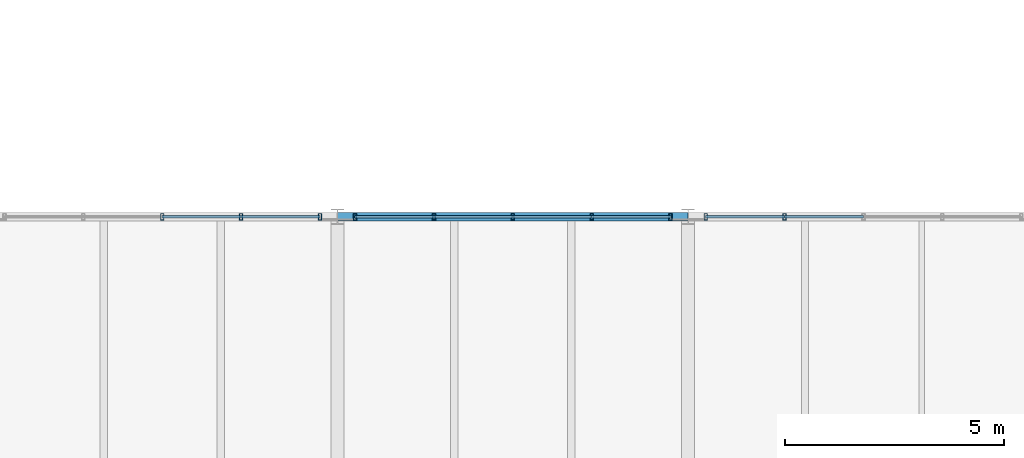
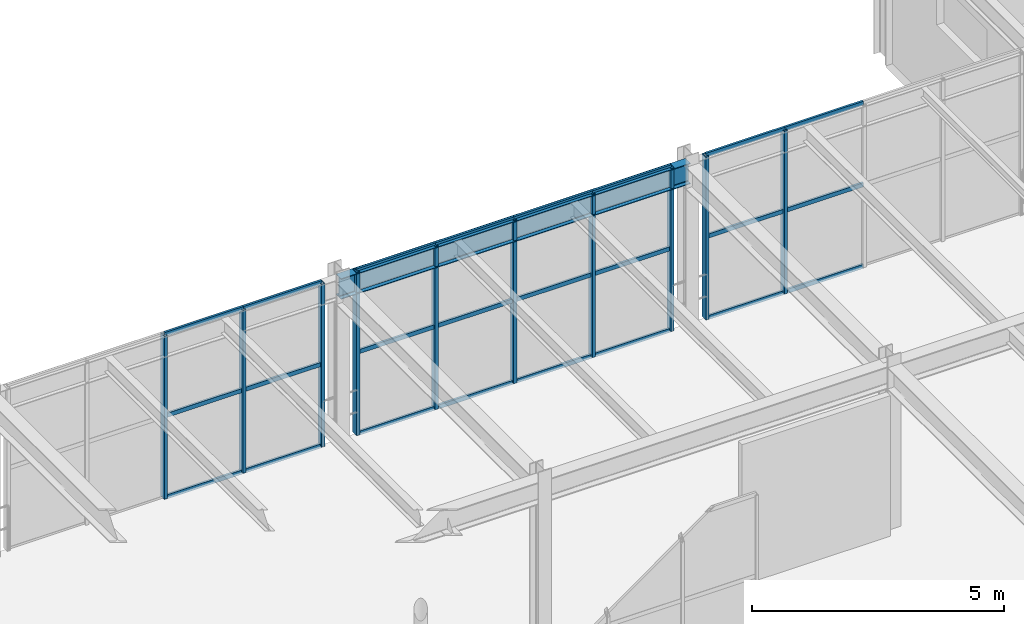
# One storey, part 38 of 122: 34 members, 1 beam, 3 elements without a shape of their own.
"""IFC4 building model written with IfcOpenShell, lengths in metres."""

from ifc_helpers import new_model, si_unit, direction, frame, origin, origin_2d, place, context, subcontext, project, spatial, hollow_rectangle, i_section, extrude, material, material_profile, profile_set, type_object, element, aggregate, save


model = new_model("IFC4")

# Units and contexts
model_context = context("Model", 3, precision=1e-05, world=origin(), true_north=direction((0.0, 1.0)))
body_context = subcontext(model_context, "Body", "Model", "MODEL_VIEW")
ifc_project = project(units=[si_unit("LENGTHUNIT", "METRE"), si_unit("AREAUNIT", "SQUARE_METRE"), si_unit("VOLUMEUNIT", "CUBIC_METRE"), si_unit("PLANEANGLEUNIT", "RADIAN"), si_unit("MASSUNIT", "GRAM", prefix="KILO")], contexts=[model_context])

# Site, building, storey
site_placement = place(None, origin())
site = spatial("IfcSite", under=ifc_project, at=site_placement, CompositionType="ELEMENT")
building_placement = place(site_placement, origin())
building = spatial("IfcBuilding", under=site, at=building_placement, Name="Sundkrona Museum", CompositionType="ELEMENT")
storey_placement = place(building_placement, frame((0.0, 0.0, 5.39990234375)))
storey = spatial("IfcBuildingStorey", under=building, at=storey_placement, Name="L01", CompositionType="ELEMENT", Elevation=5.39990234375)

# Curtain wall, members
ifc_material_1 = material(Name="Unitised Aluminium-Steel and Ceramic-Clad Curtain Walling", Category="steel")
curtain_wall_type = type_object("IfcCurtainWallType", Name="CW-AT-72x38", PredefinedType="NOTDEFINED", material=ifc_material_1)
curtain_wall_1_placement = place(storey_placement, origin())
curtain_wall_1 = element("IfcCurtainWall", 1, at=curtain_wall_1_placement, inside=storey, type_object=curtain_wall_type, Name="L01 Curtain Wall CW-L01-038", PredefinedType="NOTDEFINED")
ifc_material_2 = material(Name="Aluminium EN AW-6060 T66", Category="aluminium")
ifc_material_profile_1 = material_profile(ifc_material_2, hollow_rectangle(XDim=0.074951171875, YDim=0.14990234375, WallThickness=0.00634765625, at=origin_2d()), Name="RHS 150x75x6.3")
ifc_profile_set_1 = profile_set([ifc_material_profile_1], Name="Aluminium EN AW-6060 T66")
member_type_1 = type_object("IfcMemberType", Name="ML-150", PredefinedType="MULLION", material=ifc_profile_set_1)
member_1_placement = place(storey_placement, frame((100.0, 40.0, -0.00390625), z_axis=(0.0, 0.0, 1.0), x_axis=(1.0, 0.0, 0.0)))
member_1 = element("IfcMember", 2, at=member_1_placement, type_object=member_type_1, Name="CW-L01-038 Mullion 03", PredefinedType="MULLION", context=body_context, shape_type="SweptSolid", body=[
    extrude(hollow_rectangle(XDim=0.074951171875, YDim=0.14990234375, WallThickness=0.00634765625, at=origin_2d()), origin(), (0.0, 0.0, 1.0), 3.947998046875),
])
member_2_placement = place(storey_placement, frame((101.800048828125, 40.0, -0.00390625), z_axis=(0.0, 0.0, 1.0), x_axis=(1.0, 0.0, 0.0)))
member_2 = element("IfcMember", 3, at=member_2_placement, type_object=member_type_1, Name="CW-L01-038 Mullion 04", PredefinedType="MULLION", context=body_context, shape_type="SweptSolid", body=[
    extrude(hollow_rectangle(XDim=0.074951171875, YDim=0.14990234375, WallThickness=0.00634765625, at=origin_2d()), origin(), (0.0, 0.0, 1.0), 3.947998046875),
])
member_3_placement = place(storey_placement, frame((103.60009765625, 40.0, -0.00390625), z_axis=(0.0, 0.0, 1.0), x_axis=(1.0, 0.0, 0.0)))
member_3 = element("IfcMember", 4, at=member_3_placement, type_object=member_type_1, Name="CW-L01-038 Mullion 05", PredefinedType="MULLION", context=body_context, shape_type="SweptSolid", body=[
    extrude(hollow_rectangle(XDim=0.074951171875, YDim=0.14990234375, WallThickness=0.00634765625, at=origin_2d()), origin(), (0.0, 0.0, 1.0), 3.947998046875),
])

curtain_wall_2_placement = place(storey_placement, origin())
curtain_wall_2 = element("IfcCurtainWall", 5, at=curtain_wall_2_placement, inside=storey, type_object=curtain_wall_type, Name="L01 Curtain Wall CW-L01-039", PredefinedType="NOTDEFINED")
member_4_placement = place(storey_placement, frame((104.39990234375, 40.0, -0.00390625), z_axis=(0.0, 0.0, 1.0), x_axis=(1.0, 0.0, 0.0)))
member_4 = element("IfcMember", 6, at=member_4_placement, type_object=member_type_1, Name="CW-L01-039 Mullion 01", PredefinedType="MULLION", context=body_context, shape_type="SweptSolid", body=[
    extrude(hollow_rectangle(XDim=0.074951171875, YDim=0.14990234375, WallThickness=0.00634765625, at=origin_2d()), origin(), (0.0, 0.0, 1.0), 3.947998046875),
])
member_5_placement = place(storey_placement, frame((106.199951171875, 40.0, -0.00390625), z_axis=(0.0, 0.0, 1.0), x_axis=(1.0, 0.0, 0.0)))
member_5 = element("IfcMember", 7, at=member_5_placement, type_object=member_type_1, Name="CW-L01-039 Mullion 02", PredefinedType="MULLION", context=body_context, shape_type="SweptSolid", body=[
    extrude(hollow_rectangle(XDim=0.074951171875, YDim=0.14990234375, WallThickness=0.00634765625, at=origin_2d()), origin(), (0.0, 0.0, 1.0), 3.947998046875),
])
member_6_placement = place(storey_placement, frame((108.0, 40.0, -0.00390625), z_axis=(0.0, 0.0, 1.0), x_axis=(1.0, 0.0, 0.0)))
member_6 = element("IfcMember", 8, at=member_6_placement, type_object=member_type_1, Name="CW-L01-039 Mullion 03", PredefinedType="MULLION", context=body_context, shape_type="SweptSolid", body=[
    extrude(hollow_rectangle(XDim=0.074951171875, YDim=0.14990234375, WallThickness=0.00634765625, at=origin_2d()), origin(), (0.0, 0.0, 1.0), 3.947998046875),
])
member_7_placement = place(storey_placement, frame((109.800048828125, 40.0, -0.00390625), z_axis=(0.0, 0.0, 1.0), x_axis=(1.0, 0.0, 0.0)))
member_7 = element("IfcMember", 9, at=member_7_placement, type_object=member_type_1, Name="CW-L01-039 Mullion 04", PredefinedType="MULLION", context=body_context, shape_type="SweptSolid", body=[
    extrude(hollow_rectangle(XDim=0.074951171875, YDim=0.14990234375, WallThickness=0.00634765625, at=origin_2d()), origin(), (0.0, 0.0, 1.0), 3.947998046875),
])
member_8_placement = place(storey_placement, frame((111.60009765625, 40.0, -0.00390625), z_axis=(0.0, 0.0, 1.0), x_axis=(1.0, 0.0, 0.0)))
member_8 = element("IfcMember", 10, at=member_8_placement, type_object=member_type_1, Name="CW-L01-039 Mullion 05", PredefinedType="MULLION", context=body_context, shape_type="SweptSolid", body=[
    extrude(hollow_rectangle(XDim=0.074951171875, YDim=0.14990234375, WallThickness=0.00634765625, at=origin_2d()), origin(), (0.0, 0.0, 1.0), 3.947998046875),
])

curtain_wall_3_placement = place(storey_placement, origin())
curtain_wall_3 = element("IfcCurtainWall", 11, at=curtain_wall_3_placement, inside=storey, type_object=curtain_wall_type, Name="L01 Curtain Wall CW-L01-040", PredefinedType="NOTDEFINED")
member_9_placement = place(storey_placement, frame((112.39990234375, 40.0, -0.00390625), z_axis=(0.0, 0.0, 1.0), x_axis=(1.0, 0.0, 0.0)))
member_9 = element("IfcMember", 12, at=member_9_placement, type_object=member_type_1, Name="CW-L01-040 Mullion 01", PredefinedType="MULLION", context=body_context, shape_type="SweptSolid", body=[
    extrude(hollow_rectangle(XDim=0.074951171875, YDim=0.14990234375, WallThickness=0.00634765625, at=origin_2d()), origin(), (0.0, 0.0, 1.0), 3.947998046875),
])
member_10_placement = place(storey_placement, frame((114.199951171875, 40.0, -0.00390625), z_axis=(0.0, 0.0, 1.0), x_axis=(1.0, 0.0, 0.0)))
member_10 = element("IfcMember", 13, at=member_10_placement, type_object=member_type_1, Name="CW-L01-040 Mullion 02", PredefinedType="MULLION", context=body_context, shape_type="SweptSolid", body=[
    extrude(hollow_rectangle(XDim=0.074951171875, YDim=0.14990234375, WallThickness=0.00634765625, at=origin_2d()), origin(), (0.0, 0.0, 1.0), 3.947998046875),
])

# Beam
ifc_material_3 = material(Name="Steel S355J2", Category="steel")
ifc_material_profile_2 = material_profile(ifc_material_3, i_section(OverallWidth=0.199951171875, OverallDepth=0.5, WebThickness=0.01025390625, FlangeThickness=0.01611328125, FilletRadius=0.02099609375, at=origin_2d()), Name="IPE 500")
ifc_profile_set_2 = profile_set([ifc_material_profile_2], Name="Steel S355J2")
beam_type = type_object("IfcBeamType", Name="SP-IPE500", PredefinedType="SPANDREL", material=ifc_profile_set_2)
beam_placement = place(storey_placement, frame((104.0, 40.0, 3.690185546875), z_axis=(1.0, 0.0, 0.0), x_axis=(0.0, 1.0, 0.0)))
element("IfcBeam", 14, at=beam_placement, inside=storey, type_object=beam_type, Name="L01 Girder X-0852", PredefinedType="SPANDREL", context=body_context, shape_type="SweptSolid", body=[
    extrude(i_section(OverallWidth=0.199951171875, OverallDepth=0.5, WebThickness=0.01025390625, FlangeThickness=0.01611328125, FilletRadius=0.02099609375, at=origin_2d()), origin(), (0.0, 0.0, 1.0), 8.0),
])

# Member
ifc_material_profile_3 = material_profile(ifc_material_2, hollow_rectangle(XDim=0.050048828125, YDim=0.10009765625, WallThickness=0.0048828125, at=origin_2d()), Name="RHS 100x50x5.0")
ifc_profile_set_3 = profile_set([ifc_material_profile_3], Name="Aluminium EN AW-6060 T66")
member_type_2 = type_object("IfcMemberType", Name="TR-100", PredefinedType="USERDEFINED", material=ifc_profile_set_3)
member_11_placement = place(storey_placement, frame((100.0, 40.0, -0.00390625), z_axis=(1.0, 0.0, 0.0), x_axis=(0.0, 1.0, 0.0)))
member_11 = element("IfcMember", 15, at=member_11_placement, type_object=member_type_2, Name="CW-L01-038 Transom 07", ObjectType="TRANSOM", PredefinedType="USERDEFINED", context=body_context, shape_type="SweptSolid", body=[
    extrude(hollow_rectangle(XDim=0.050048828125, YDim=0.10009765625, WallThickness=0.0048828125, at=origin_2d()), origin(), (0.0, 0.0, 1.0), 1.800048828125),
])

member_12_placement = place(storey_placement, frame((100.0, 40.0, 1.97021484375), z_axis=(1.0, 0.0, 0.0), x_axis=(0.0, 1.0, 0.0)))
member_12 = element("IfcMember", 16, at=member_12_placement, type_object=member_type_2, Name="CW-L01-038 Transom 08", ObjectType="TRANSOM", PredefinedType="USERDEFINED", context=body_context, shape_type="SweptSolid", body=[
    extrude(hollow_rectangle(XDim=0.050048828125, YDim=0.10009765625, WallThickness=0.0048828125, at=origin_2d()), origin(), (0.0, 0.0, 1.0), 1.800048828125),
])

member_13_placement = place(storey_placement, frame((100.0, 40.0, 3.944091796875), z_axis=(1.0, 0.0, 0.0), x_axis=(0.0, 1.0, 0.0)))
member_13 = element("IfcMember", 17, at=member_13_placement, type_object=member_type_2, Name="CW-L01-038 Transom 09", ObjectType="TRANSOM", PredefinedType="USERDEFINED", context=body_context, shape_type="SweptSolid", body=[
    extrude(hollow_rectangle(XDim=0.050048828125, YDim=0.10009765625, WallThickness=0.0048828125, at=origin_2d()), origin(), (0.0, 0.0, 1.0), 1.800048828125),
])

member_14_placement = place(storey_placement, frame((101.800048828125, 40.0, -0.00390625), z_axis=(1.0, 0.0, 0.0), x_axis=(0.0, 1.0, 0.0)))
member_14 = element("IfcMember", 18, at=member_14_placement, type_object=member_type_2, Name="CW-L01-038 Transom 10", ObjectType="TRANSOM", PredefinedType="USERDEFINED", context=body_context, shape_type="SweptSolid", body=[
    extrude(hollow_rectangle(XDim=0.050048828125, YDim=0.10009765625, WallThickness=0.0048828125, at=origin_2d()), origin(), (0.0, 0.0, 1.0), 1.800048828125),
])

member_15_placement = place(storey_placement, frame((101.800048828125, 40.0, 1.97021484375), z_axis=(1.0, 0.0, 0.0), x_axis=(0.0, 1.0, 0.0)))
member_15 = element("IfcMember", 19, at=member_15_placement, type_object=member_type_2, Name="CW-L01-038 Transom 11", ObjectType="TRANSOM", PredefinedType="USERDEFINED", context=body_context, shape_type="SweptSolid", body=[
    extrude(hollow_rectangle(XDim=0.050048828125, YDim=0.10009765625, WallThickness=0.0048828125, at=origin_2d()), origin(), (0.0, 0.0, 1.0), 1.800048828125),
])

member_16_placement = place(storey_placement, frame((101.800048828125, 40.0, 3.944091796875), z_axis=(1.0, 0.0, 0.0), x_axis=(0.0, 1.0, 0.0)))
member_16 = element("IfcMember", 20, at=member_16_placement, type_object=member_type_2, Name="CW-L01-038 Transom 12", ObjectType="TRANSOM", PredefinedType="USERDEFINED", context=body_context, shape_type="SweptSolid", body=[
    extrude(hollow_rectangle(XDim=0.050048828125, YDim=0.10009765625, WallThickness=0.0048828125, at=origin_2d()), origin(), (0.0, 0.0, 1.0), 1.800048828125),
])

aggregate(curtain_wall_1, [member_1, member_2, member_3, member_11, member_12, member_13, member_14, member_15, member_16])

member_17_placement = place(storey_placement, frame((104.39990234375, 40.0, -0.00390625), z_axis=(1.0, 0.0, 0.0), x_axis=(0.0, 1.0, 0.0)))
member_17 = element("IfcMember", 21, at=member_17_placement, type_object=member_type_2, Name="CW-L01-039 Transom 01", ObjectType="TRANSOM", PredefinedType="USERDEFINED", context=body_context, shape_type="SweptSolid", body=[
    extrude(hollow_rectangle(XDim=0.050048828125, YDim=0.10009765625, WallThickness=0.0048828125, at=origin_2d()), origin(), (0.0, 0.0, 1.0), 1.800048828125),
])

member_18_placement = place(storey_placement, frame((104.39990234375, 40.0, 1.97021484375), z_axis=(1.0, 0.0, 0.0), x_axis=(0.0, 1.0, 0.0)))
member_18 = element("IfcMember", 22, at=member_18_placement, type_object=member_type_2, Name="CW-L01-039 Transom 02", ObjectType="TRANSOM", PredefinedType="USERDEFINED", context=body_context, shape_type="SweptSolid", body=[
    extrude(hollow_rectangle(XDim=0.050048828125, YDim=0.10009765625, WallThickness=0.0048828125, at=origin_2d()), origin(), (0.0, 0.0, 1.0), 1.800048828125),
])

member_19_placement = place(storey_placement, frame((104.39990234375, 40.0, 3.944091796875), z_axis=(1.0, 0.0, 0.0), x_axis=(0.0, 1.0, 0.0)))
member_19 = element("IfcMember", 23, at=member_19_placement, type_object=member_type_2, Name="CW-L01-039 Transom 03", ObjectType="TRANSOM", PredefinedType="USERDEFINED", context=body_context, shape_type="SweptSolid", body=[
    extrude(hollow_rectangle(XDim=0.050048828125, YDim=0.10009765625, WallThickness=0.0048828125, at=origin_2d()), origin(), (0.0, 0.0, 1.0), 1.800048828125),
])

member_20_placement = place(storey_placement, frame((106.199951171875, 40.0, -0.00390625), z_axis=(1.0, 0.0, 0.0), x_axis=(0.0, 1.0, 0.0)))
member_20 = element("IfcMember", 24, at=member_20_placement, type_object=member_type_2, Name="CW-L01-039 Transom 04", ObjectType="TRANSOM", PredefinedType="USERDEFINED", context=body_context, shape_type="SweptSolid", body=[
    extrude(hollow_rectangle(XDim=0.050048828125, YDim=0.10009765625, WallThickness=0.0048828125, at=origin_2d()), origin(), (0.0, 0.0, 1.0), 1.800048828125),
])

member_21_placement = place(storey_placement, frame((106.199951171875, 40.0, 1.97021484375), z_axis=(1.0, 0.0, 0.0), x_axis=(0.0, 1.0, 0.0)))
member_21 = element("IfcMember", 25, at=member_21_placement, type_object=member_type_2, Name="CW-L01-039 Transom 05", ObjectType="TRANSOM", PredefinedType="USERDEFINED", context=body_context, shape_type="SweptSolid", body=[
    extrude(hollow_rectangle(XDim=0.050048828125, YDim=0.10009765625, WallThickness=0.0048828125, at=origin_2d()), origin(), (0.0, 0.0, 1.0), 1.800048828125),
])

member_22_placement = place(storey_placement, frame((106.199951171875, 40.0, 3.944091796875), z_axis=(1.0, 0.0, 0.0), x_axis=(0.0, 1.0, 0.0)))
member_22 = element("IfcMember", 26, at=member_22_placement, type_object=member_type_2, Name="CW-L01-039 Transom 06", ObjectType="TRANSOM", PredefinedType="USERDEFINED", context=body_context, shape_type="SweptSolid", body=[
    extrude(hollow_rectangle(XDim=0.050048828125, YDim=0.10009765625, WallThickness=0.0048828125, at=origin_2d()), origin(), (0.0, 0.0, 1.0), 1.800048828125),
])

member_23_placement = place(storey_placement, frame((108.0, 40.0, -0.00390625), z_axis=(1.0, 0.0, 0.0), x_axis=(0.0, 1.0, 0.0)))
member_23 = element("IfcMember", 27, at=member_23_placement, type_object=member_type_2, Name="CW-L01-039 Transom 07", ObjectType="TRANSOM", PredefinedType="USERDEFINED", context=body_context, shape_type="SweptSolid", body=[
    extrude(hollow_rectangle(XDim=0.050048828125, YDim=0.10009765625, WallThickness=0.0048828125, at=origin_2d()), origin(), (0.0, 0.0, 1.0), 1.800048828125),
])

member_24_placement = place(storey_placement, frame((108.0, 40.0, 1.97021484375), z_axis=(1.0, 0.0, 0.0), x_axis=(0.0, 1.0, 0.0)))
member_24 = element("IfcMember", 28, at=member_24_placement, type_object=member_type_2, Name="CW-L01-039 Transom 08", ObjectType="TRANSOM", PredefinedType="USERDEFINED", context=body_context, shape_type="SweptSolid", body=[
    extrude(hollow_rectangle(XDim=0.050048828125, YDim=0.10009765625, WallThickness=0.0048828125, at=origin_2d()), origin(), (0.0, 0.0, 1.0), 1.800048828125),
])

member_25_placement = place(storey_placement, frame((108.0, 40.0, 3.944091796875), z_axis=(1.0, 0.0, 0.0), x_axis=(0.0, 1.0, 0.0)))
member_25 = element("IfcMember", 29, at=member_25_placement, type_object=member_type_2, Name="CW-L01-039 Transom 09", ObjectType="TRANSOM", PredefinedType="USERDEFINED", context=body_context, shape_type="SweptSolid", body=[
    extrude(hollow_rectangle(XDim=0.050048828125, YDim=0.10009765625, WallThickness=0.0048828125, at=origin_2d()), origin(), (0.0, 0.0, 1.0), 1.800048828125),
])

member_26_placement = place(storey_placement, frame((109.800048828125, 40.0, -0.00390625), z_axis=(1.0, 0.0, 0.0), x_axis=(0.0, 1.0, 0.0)))
member_26 = element("IfcMember", 30, at=member_26_placement, type_object=member_type_2, Name="CW-L01-039 Transom 10", ObjectType="TRANSOM", PredefinedType="USERDEFINED", context=body_context, shape_type="SweptSolid", body=[
    extrude(hollow_rectangle(XDim=0.050048828125, YDim=0.10009765625, WallThickness=0.0048828125, at=origin_2d()), origin(), (0.0, 0.0, 1.0), 1.800048828125),
])

member_27_placement = place(storey_placement, frame((109.800048828125, 40.0, 1.97021484375), z_axis=(1.0, 0.0, 0.0), x_axis=(0.0, 1.0, 0.0)))
member_27 = element("IfcMember", 31, at=member_27_placement, type_object=member_type_2, Name="CW-L01-039 Transom 11", ObjectType="TRANSOM", PredefinedType="USERDEFINED", context=body_context, shape_type="SweptSolid", body=[
    extrude(hollow_rectangle(XDim=0.050048828125, YDim=0.10009765625, WallThickness=0.0048828125, at=origin_2d()), origin(), (0.0, 0.0, 1.0), 1.800048828125),
])

member_28_placement = place(storey_placement, frame((109.800048828125, 40.0, 3.944091796875), z_axis=(1.0, 0.0, 0.0), x_axis=(0.0, 1.0, 0.0)))
member_28 = element("IfcMember", 32, at=member_28_placement, type_object=member_type_2, Name="CW-L01-039 Transom 12", ObjectType="TRANSOM", PredefinedType="USERDEFINED", context=body_context, shape_type="SweptSolid", body=[
    extrude(hollow_rectangle(XDim=0.050048828125, YDim=0.10009765625, WallThickness=0.0048828125, at=origin_2d()), origin(), (0.0, 0.0, 1.0), 1.800048828125),
])

aggregate(curtain_wall_2, [member_4, member_5, member_6, member_7, member_8, member_17, member_18, member_19, member_20, member_21, member_22, member_23, member_24, member_25, member_26, member_27, member_28])

member_29_placement = place(storey_placement, frame((112.39990234375, 40.0, -0.00390625), z_axis=(1.0, 0.0, 0.0), x_axis=(0.0, 1.0, 0.0)))
member_29 = element("IfcMember", 33, at=member_29_placement, type_object=member_type_2, Name="CW-L01-040 Transom 01", ObjectType="TRANSOM", PredefinedType="USERDEFINED", context=body_context, shape_type="SweptSolid", body=[
    extrude(hollow_rectangle(XDim=0.050048828125, YDim=0.10009765625, WallThickness=0.0048828125, at=origin_2d()), origin(), (0.0, 0.0, 1.0), 1.800048828125),
])

member_30_placement = place(storey_placement, frame((112.39990234375, 40.0, 1.97021484375), z_axis=(1.0, 0.0, 0.0), x_axis=(0.0, 1.0, 0.0)))
member_30 = element("IfcMember", 34, at=member_30_placement, type_object=member_type_2, Name="CW-L01-040 Transom 02", ObjectType="TRANSOM", PredefinedType="USERDEFINED", context=body_context, shape_type="SweptSolid", body=[
    extrude(hollow_rectangle(XDim=0.050048828125, YDim=0.10009765625, WallThickness=0.0048828125, at=origin_2d()), origin(), (0.0, 0.0, 1.0), 1.800048828125),
])

member_31_placement = place(storey_placement, frame((112.39990234375, 40.0, 3.944091796875), z_axis=(1.0, 0.0, 0.0), x_axis=(0.0, 1.0, 0.0)))
member_31 = element("IfcMember", 35, at=member_31_placement, type_object=member_type_2, Name="CW-L01-040 Transom 03", ObjectType="TRANSOM", PredefinedType="USERDEFINED", context=body_context, shape_type="SweptSolid", body=[
    extrude(hollow_rectangle(XDim=0.050048828125, YDim=0.10009765625, WallThickness=0.0048828125, at=origin_2d()), origin(), (0.0, 0.0, 1.0), 1.800048828125),
])

member_32_placement = place(storey_placement, frame((114.199951171875, 40.0, -0.00390625), z_axis=(1.0, 0.0, 0.0), x_axis=(0.0, 1.0, 0.0)))
member_32 = element("IfcMember", 36, at=member_32_placement, type_object=member_type_2, Name="CW-L01-040 Transom 04", ObjectType="TRANSOM", PredefinedType="USERDEFINED", context=body_context, shape_type="SweptSolid", body=[
    extrude(hollow_rectangle(XDim=0.050048828125, YDim=0.10009765625, WallThickness=0.0048828125, at=origin_2d()), origin(), (0.0, 0.0, 1.0), 1.800048828125),
])

member_33_placement = place(storey_placement, frame((114.199951171875, 40.0, 1.97021484375), z_axis=(1.0, 0.0, 0.0), x_axis=(0.0, 1.0, 0.0)))
member_33 = element("IfcMember", 37, at=member_33_placement, type_object=member_type_2, Name="CW-L01-040 Transom 05", ObjectType="TRANSOM", PredefinedType="USERDEFINED", context=body_context, shape_type="SweptSolid", body=[
    extrude(hollow_rectangle(XDim=0.050048828125, YDim=0.10009765625, WallThickness=0.0048828125, at=origin_2d()), origin(), (0.0, 0.0, 1.0), 1.800048828125),
])

member_34_placement = place(storey_placement, frame((114.199951171875, 40.0, 3.944091796875), z_axis=(1.0, 0.0, 0.0), x_axis=(0.0, 1.0, 0.0)))
member_34 = element("IfcMember", 38, at=member_34_placement, type_object=member_type_2, Name="CW-L01-040 Transom 06", ObjectType="TRANSOM", PredefinedType="USERDEFINED", context=body_context, shape_type="SweptSolid", body=[
    extrude(hollow_rectangle(XDim=0.050048828125, YDim=0.10009765625, WallThickness=0.0048828125, at=origin_2d()), origin(), (0.0, 0.0, 1.0), 1.800048828125),
])

aggregate(curtain_wall_3, [member_9, member_10, member_29, member_30, member_31, member_32, member_33, member_34])

save(model, "model.ifc")
